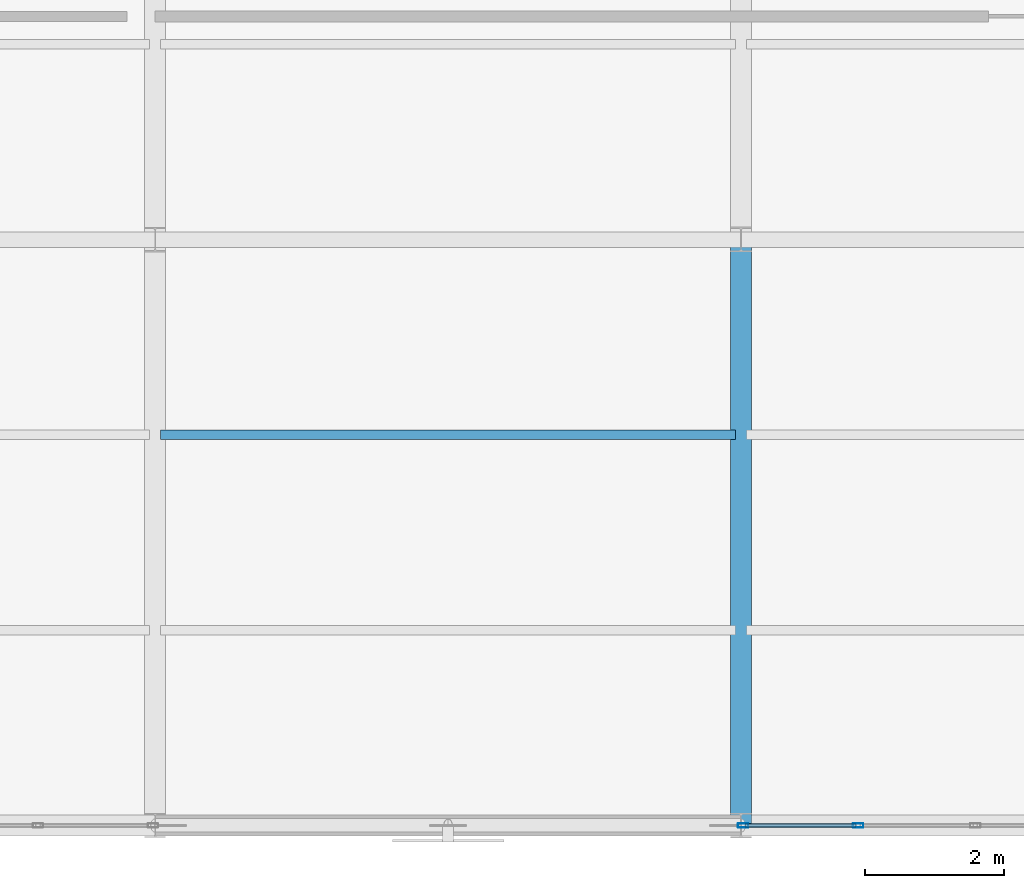
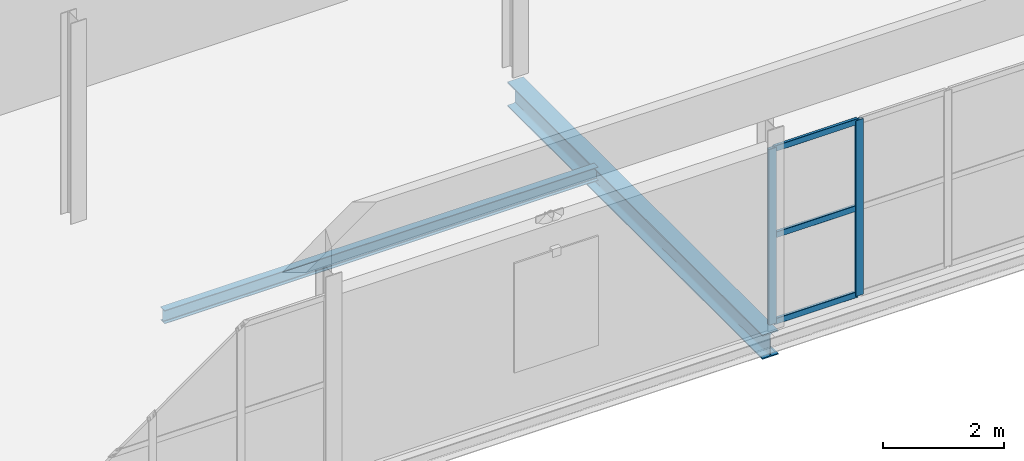
# One storey, part 121 of 184: 5 members, 2 beams, 1 element without a shape of its own.
"""IFC4 building model written with IfcOpenShell, lengths in metres."""

from ifc_helpers import new_model, si_unit, direction, frame, origin, origin_2d, place, context, subcontext, project, spatial, hollow_rectangle, i_section, extrude, material, layer, layer_set, material_profile, profile_set, type_object, element, aggregate, save


model = new_model("IFC4")

# Units and contexts
model_context = context("Model", 3, precision=1e-05, world=origin(), true_north=direction((0.0, 1.0)))
body_context = subcontext(model_context, "Body", "Model", "MODEL_VIEW")
ifc_project = project(units=[si_unit("LENGTHUNIT", "METRE"), si_unit("AREAUNIT", "SQUARE_METRE"), si_unit("VOLUMEUNIT", "CUBIC_METRE"), si_unit("PLANEANGLEUNIT", "RADIAN"), si_unit("MASSUNIT", "GRAM", prefix="KILO")], contexts=[model_context])

# Site, building, storey
site_placement = place(None, origin())
site = spatial("IfcSite", under=ifc_project, at=site_placement, CompositionType="ELEMENT")
building_placement = place(site_placement, origin())
building = spatial("IfcBuilding", under=site, at=building_placement, Name="Qalvenar Corner Mobility Hub", CompositionType="ELEMENT")
storey_placement = place(building_placement, frame((0.0, 0.0, 9.0)))
storey = spatial("IfcBuildingStorey", under=building, at=storey_placement, Name="L02", CompositionType="ELEMENT", Elevation=9.0)

# Beams
ifc_material_1 = material(Name="Steel S355", Category="steel")
ifc_material_profile_1 = material_profile(ifc_material_1, i_section(OverallWidth=0.300048828125, OverallDepth=0.489990234375, WebThickness=0.011962890625, FlangeThickness=0.02294921875, FilletRadius=0.027099609375, at=origin_2d()), Name="HEA500")
ifc_profile_set_1 = profile_set([ifc_material_profile_1], Name="Steel S355")
beam_type_1 = type_object("IfcBeamType", Name="BM-HEA500", PredefinedType="BEAM", material=ifc_profile_set_1)
beam_1_placement = place(storey_placement, frame((151.199951171875, 0.0, -0.425048828125), z_axis=(0.0, 1.0, 0.0), x_axis=(-1.0, 0.0, 0.0)))
element("IfcBeam", 1, at=beam_1_placement, inside=storey, type_object=beam_type_1, Name="Primary Steel Girder GY-1736", PredefinedType="BEAM", context=body_context, shape_type="SweptSolid", body=[
    extrude(i_section(OverallWidth=0.300048828125, OverallDepth=0.489990234375, WebThickness=0.011962890625, FlangeThickness=0.02294921875, FilletRadius=0.027099609375, at=origin_2d()), origin(), (0.0, 0.0, 1.0), 8.39990234375),
])
ifc_material_profile_2 = material_profile(ifc_material_1, i_section(OverallWidth=0.135009765625, OverallDepth=0.27001953125, WebThickness=0.006591796875, FlangeThickness=0.01025390625, FilletRadius=0.014892578125, at=origin_2d()), Name="IPE270")
ifc_profile_set_2 = profile_set([ifc_material_profile_2], Name="Steel S355")
beam_type_2 = type_object("IfcBeamType", Name="BM-JST270", PredefinedType="JOIST", material=ifc_profile_set_2)
beam_2_placement = place(storey_placement, frame((142.8779296875, 5.60009765625, -0.31494140625), z_axis=(1.0, 0.0, 0.0), x_axis=(0.0, 1.0, 0.0)))
element("IfcBeam", 2, at=beam_2_placement, inside=storey, type_object=beam_type_2, Name="Composite Floor Joist J-1790", PredefinedType="JOIST", context=body_context, shape_type="SweptSolid", body=[
    extrude(i_section(OverallWidth=0.135009765625, OverallDepth=0.27001953125, WebThickness=0.006591796875, FlangeThickness=0.01025390625, FilletRadius=0.014892578125, at=origin_2d()), origin(), (0.0, 0.0, 1.0), 8.244140625),
])

# Curtain wall, members
ifc_material_2 = material(Name="Anodised Aluminium and Low-E Glazing", Category="aluminium")
ifc_layer = layer(ifc_material_2, 0.14990234375)
ifc_layer_set = layer_set([ifc_layer], Name="Anodised Aluminium and Low-E Glazing")
curtain_wall_type = type_object("IfcCurtainWallType", Name="CW-WKS-84X44", PredefinedType="NOTDEFINED", material=ifc_layer_set)
curtain_wall_placement = place(storey_placement, origin())
curtain_wall = element("IfcCurtainWall", 3, at=curtain_wall_placement, inside=storey, type_object=curtain_wall_type, Name="Glazed Curtain Wall CW-V6-L02-S5", PredefinedType="NOTDEFINED")
ifc_material_3 = material(Name="Anodised Aluminium 6063-T6", Category="aluminium")
ifc_material_profile_3 = material_profile(ifc_material_3, hollow_rectangle(XDim=0.06005859375, YDim=0.14990234375, WallThickness=0.00390625, InnerFilletRadius=0.00390625, OuterFilletRadius=0.008056640625, at=origin_2d()), Name="RHS150x60x4")
ifc_profile_set_3 = profile_set([ifc_material_profile_3], Name="Anodised Aluminium 6063-T6")
member_type_1 = type_object("IfcMemberType", Name="CW-MUL150", PredefinedType="MULLION", material=ifc_profile_set_3)
member_1_placement = place(storey_placement, frame((151.22998046875, 0.0, 0.0), z_axis=(0.0, 0.0, 1.0), x_axis=(0.0, 1.0, 0.0)))
member_1 = element("IfcMember", 4, at=member_1_placement, type_object=member_type_1, Name="CW-09 mullion 1", PredefinedType="MULLION", context=body_context, shape_type="SweptSolid", body=[
    extrude(hollow_rectangle(XDim=0.06005859375, YDim=0.14990234375, WallThickness=0.00390625, InnerFilletRadius=0.00390625, OuterFilletRadius=0.008056640625, at=origin_2d()), origin(), (0.0, 0.0, 1.0), 3.530029296875),
])
member_2_placement = place(storey_placement, frame((152.8798828125, 0.0, 0.0), z_axis=(0.0, 0.0, 1.0), x_axis=(0.0, 1.0, 0.0)))
member_2 = element("IfcMember", 5, at=member_2_placement, type_object=member_type_1, Name="CW-09 mullion 2", PredefinedType="MULLION", context=body_context, shape_type="SweptSolid", body=[
    extrude(hollow_rectangle(XDim=0.06005859375, YDim=0.14990234375, WallThickness=0.00390625, InnerFilletRadius=0.00390625, OuterFilletRadius=0.008056640625, at=origin_2d()), origin(), (0.0, 0.0, 1.0), 3.530029296875),
])
ifc_material_profile_4 = material_profile(ifc_material_3, hollow_rectangle(XDim=0.054931640625, YDim=0.1201171875, WallThickness=0.00341796875, InnerFilletRadius=0.00341796875, OuterFilletRadius=0.007080078125, at=origin_2d()), Name="RHS120x55x3.5")
ifc_profile_set_4 = profile_set([ifc_material_profile_4], Name="Anodised Aluminium 6063-T6")
member_type_2 = type_object("IfcMemberType", Name="CW-TRN120", PredefinedType="USERDEFINED", material=ifc_profile_set_4)
member_3_placement = place(storey_placement, frame((151.260009765625, 0.0, 0.027587890625), z_axis=(1.0, 0.0, 0.0), x_axis=(0.0, 1.0, 0.0)))
member_3 = element("IfcMember", 6, at=member_3_placement, type_object=member_type_2, Name="CW-09 transom 1.1", ObjectType="TRANSOM", PredefinedType="USERDEFINED", context=body_context, shape_type="SweptSolid", body=[
    extrude(hollow_rectangle(XDim=0.054931640625, YDim=0.1201171875, WallThickness=0.00341796875, InnerFilletRadius=0.00341796875, OuterFilletRadius=0.007080078125, at=origin_2d()), origin(), (0.0, 0.0, 1.0), 1.590087890625),
])
member_4_placement = place(storey_placement, frame((151.260009765625, 0.0, 1.764892578125), z_axis=(1.0, 0.0, 0.0), x_axis=(0.0, 1.0, 0.0)))
member_4 = element("IfcMember", 7, at=member_4_placement, type_object=member_type_2, Name="CW-09 transom 1.2", ObjectType="TRANSOM", PredefinedType="USERDEFINED", context=body_context, shape_type="SweptSolid", body=[
    extrude(hollow_rectangle(XDim=0.054931640625, YDim=0.1201171875, WallThickness=0.00341796875, InnerFilletRadius=0.00341796875, OuterFilletRadius=0.007080078125, at=origin_2d()), origin(), (0.0, 0.0, 1.0), 1.590087890625),
])
member_5_placement = place(storey_placement, frame((151.260009765625, 0.0, 3.50244140625), z_axis=(1.0, 0.0, 0.0), x_axis=(0.0, 1.0, 0.0)))
member_5 = element("IfcMember", 8, at=member_5_placement, type_object=member_type_2, Name="CW-09 transom 1.3", ObjectType="TRANSOM", PredefinedType="USERDEFINED", context=body_context, shape_type="SweptSolid", body=[
    extrude(hollow_rectangle(XDim=0.054931640625, YDim=0.1201171875, WallThickness=0.00341796875, InnerFilletRadius=0.00341796875, OuterFilletRadius=0.007080078125, at=origin_2d()), origin(), (0.0, 0.0, 1.0), 1.590087890625),
])
aggregate(curtain_wall, [member_1, member_2, member_3, member_4, member_5])

save(model, "model.ifc")
